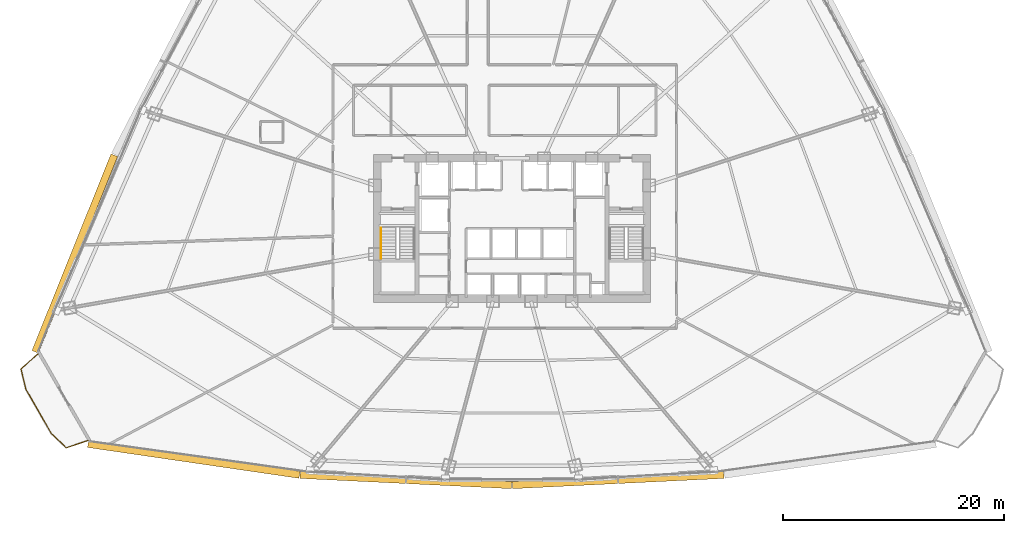
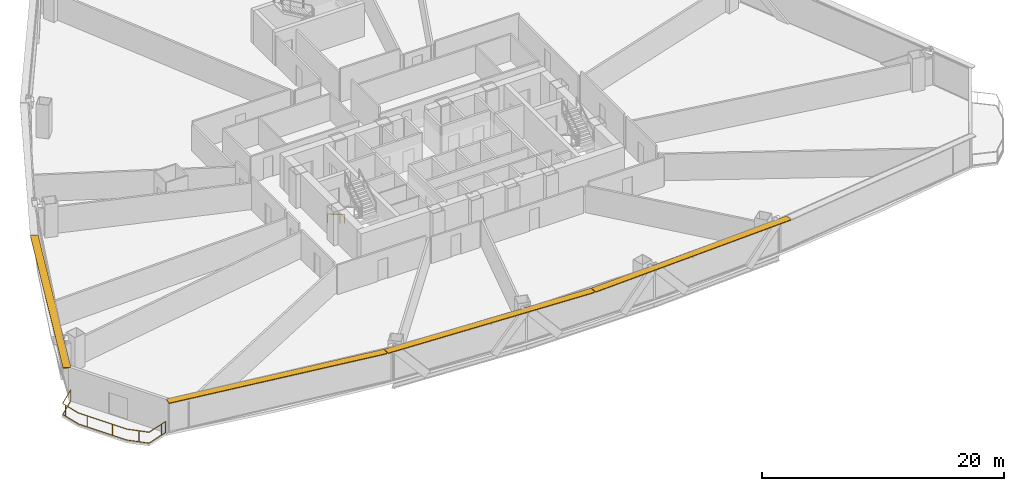
# One storey, part 34 of 37: 4 shading devices, 2 railings.
"""IFC4 building model written with IfcOpenShell, lengths in metres."""

from ifc_helpers import new_model, si_unit, direction, frame, origin, origin_2d, place, context, subcontext, project, spatial, rectangle, extrude, source, transform, mapped, material, layer, layer_set, type_object, element, save


model = new_model("IFC4")

# Units and contexts
model_context = context("Model", 3, precision=1e-05, world=origin(), true_north=direction((0.0, 1.0)))
body_context = subcontext(model_context, "Body", "Model", "MODEL_VIEW")
ifc_project = project(units=[si_unit("LENGTHUNIT", "METRE"), si_unit("AREAUNIT", "SQUARE_METRE"), si_unit("VOLUMEUNIT", "CUBIC_METRE"), si_unit("PLANEANGLEUNIT", "RADIAN"), si_unit("MASSUNIT", "GRAM", prefix="KILO"), si_unit("THERMODYNAMICTEMPERATUREUNIT", "KELVIN"), si_unit("POWERUNIT", "WATT")], contexts=[model_context])

# Site, building, storey
site_placement = place(None, origin())
site = spatial("IfcSite", under=ifc_project, at=site_placement, CompositionType="ELEMENT")
building_placement = place(site_placement, origin())
building = spatial("IfcBuilding", under=site, at=building_placement, Name="Yunzhuo Pagoda Commons", CompositionType="ELEMENT")
storey_placement = place(building_placement, frame((0.0, 0.0, 59.43994140625)))
storey = spatial("IfcBuildingStorey", under=building, at=storey_placement, Name="L15", CompositionType="ELEMENT", Elevation=59.43994140625)

# Railings
ifc_material = material(Name="Anodized aluminium 6063-T6", Category="aluminium")
railing_type_1 = type_object("IfcRailingType", Name="HR-ST1 Stair Handrail 900", PredefinedType="HANDRAIL", material=ifc_material)
railing_1_placement = place(storey_placement, frame((36.14990234375, 33.89990234375, 0.1650390625)))
element("IfcRailing", 1, at=railing_1_placement, inside=storey, type_object=railing_type_1, Name="L15 ST1 stair handrail 1", PredefinedType="HANDRAIL", context=body_context, shape_type="SweptSolid", body=[
    extrude(rectangle(XDim=0.048095703125, YDim=0.048095703125, at=origin_2d()), frame((0.0, 0.0, 0.8759765625), z_axis=(0.0, -0.861536114422, 0.507696290658), x_axis=(1.0, 0.0, 0.0)), (0.0, 0.0, 1.0), 3.249755859375),
    extrude(rectangle(XDim=0.0419921875, YDim=0.0419921875, at=origin_2d()), origin(), (0.0, 0.0, 1.0), 0.851806640625),
    extrude(rectangle(XDim=0.0419921875, YDim=0.0419921875, at=origin_2d()), frame((0.0, -2.067626953125, 1.218505859375)), (0.0, 0.0, 1.0), 0.851806640625),
    extrude(rectangle(XDim=0.0419921875, YDim=0.0419921875, at=origin_2d()), frame((0.0, -2.7998046875, 1.64990234375)), (0.0, 0.0, 1.0), 0.851806640625),
])
railing_type_2 = type_object("IfcRailingType", Name="RL-BAL1 Exterior Terrace & Balcony Balustrade 1150", PredefinedType="BALUSTRADE", material=ifc_material)
railing_2_placement = place(storey_placement, frame((5.08544921875, 22.47705078125, 0.0)))
element("IfcRailing", 2, at=railing_2_placement, inside=storey, type_object=railing_type_2, Name="L15 corner balcony balustrade V1", PredefinedType="BALUSTRADE", context=body_context, shape_type="SweptSolid", body=[
    extrude(rectangle(XDim=0.048095703125, YDim=0.048095703125, at=origin_2d()), frame((0.0, 0.0, 1.1259765625), z_axis=(-0.753933830692, -0.656950362614, 0.0), x_axis=(0.656950362614, -0.753933830692, 0.0)), (0.0, 0.0, 1.0), 2.05908203125),
    extrude(rectangle(XDim=0.048095703125, YDim=0.048095703125, at=origin_2d()), frame((0.0, 0.0, 0.02392578125), z_axis=(-0.753933830692, -0.656950362614, 0.0), x_axis=(0.656950362614, -0.753933830692, 0.0)), (0.0, 0.0, 1.0), 2.05908203125),
    extrude(rectangle(XDim=0.048095703125, YDim=0.048095703125, at=origin_2d()), frame((-1.552490234375, -1.352783203125, 1.1259765625), z_axis=(0.235684758319, -0.971829560518, 0.0), x_axis=(0.971829560518, 0.235684758319, 0.0)), (0.0, 0.0, 1.0), 1.896728515625),
    extrude(rectangle(XDim=0.048095703125, YDim=0.048095703125, at=origin_2d()), frame((-1.552490234375, -1.352783203125, 0.02392578125), z_axis=(0.235684758319, -0.971829560518, 0.0), x_axis=(0.971829560518, 0.235684758319, 0.0)), (0.0, 0.0, 1.0), 1.896728515625),
    extrude(rectangle(XDim=0.048095703125, YDim=0.048095703125, at=origin_2d()), frame((-1.10546875, -3.196044921875, 1.1259765625), z_axis=(0.497931801723, -0.867216190366, 0.0), x_axis=(0.867216190366, 0.497931801723, 0.0)), (0.0, 0.0, 1.0), 4.60205078125),
    extrude(rectangle(XDim=0.048095703125, YDim=0.048095703125, at=origin_2d()), frame((-1.10546875, -3.196044921875, 0.02392578125), z_axis=(0.497931801723, -0.867216190366, 0.0), x_axis=(0.867216190366, 0.497931801723, 0.0)), (0.0, 0.0, 1.0), 4.60205078125),
    extrude(rectangle(XDim=0.048095703125, YDim=0.048095703125, at=origin_2d()), frame((1.18603515625, -7.18701171875, 1.1259765625), z_axis=(0.720429774389, -0.693527894302, 0.0), x_axis=(0.693527894302, 0.720429774389, 0.0)), (0.0, 0.0, 1.0), 1.896728515625),
    extrude(rectangle(XDim=0.048095703125, YDim=0.048095703125, at=origin_2d()), frame((1.18603515625, -7.18701171875, 0.02392578125), z_axis=(0.720429774389, -0.693527894302, 0.0), x_axis=(0.693527894302, 0.720429774389, 0.0)), (0.0, 0.0, 1.0), 1.896728515625),
    extrude(rectangle(XDim=0.048095703125, YDim=0.048095703125, at=origin_2d()), frame((2.552490234375, -8.50244140625, 1.1259765625), z_axis=(0.947395259337, 0.320065965992, 0.0), x_axis=(-0.320065965992, 0.947395259337, 0.0)), (0.0, 0.0, 1.0), 2.0595703125),
    extrude(rectangle(XDim=0.048095703125, YDim=0.048095703125, at=origin_2d()), frame((2.552490234375, -8.50244140625, 0.02392578125), z_axis=(0.947395259337, 0.320065965992, 0.0), x_axis=(-0.320065965992, 0.947395259337, 0.0)), (0.0, 0.0, 1.0), 2.0595703125),
    extrude(rectangle(XDim=0.0419921875, YDim=0.0419921875, at=origin_2d()), origin(), (0.0, 0.0, 1.0), 1.101806640625),
    extrude(rectangle(XDim=0.0419921875, YDim=0.0419921875, at=origin_2d()), frame((-1.47216796875, -1.68408203125, 0.0)), (0.0, 0.0, 1.0), 1.101806640625),
    extrude(rectangle(XDim=0.0419921875, YDim=0.0419921875, at=origin_2d()), frame((-0.68505859375, -3.927978515625, 0.0)), (0.0, 0.0, 1.0), 1.101806640625),
    extrude(rectangle(XDim=0.0419921875, YDim=0.0419921875, at=origin_2d()), frame((0.509765625, -6.009521484375, 0.0)), (0.0, 0.0, 1.0), 1.101806640625),
    extrude(rectangle(XDim=0.0419921875, YDim=0.0419921875, at=origin_2d()), frame((1.936767578125, -7.90966796875, 0.0)), (0.0, 0.0, 1.0), 1.101806640625),
    extrude(rectangle(XDim=0.0419921875, YDim=0.0419921875, at=origin_2d()), frame((4.0166015625, -8.0078125, 0.0)), (0.0, 0.0, 1.0), 1.101806640625),
    extrude(rectangle(XDim=0.0419921875, YDim=0.0419921875, at=origin_2d()), frame((4.503662109375, -7.84326171875, 0.0)), (0.0, 0.0, 1.0), 1.101806640625),
])

# Shading devices
ifc_layer = layer(ifc_material, 0.080078125)
ifc_layer_set = layer_set([ifc_layer], Name="Anodized aluminium 6063-T6")
shading_device_type = type_object("IfcShadingDeviceType", Name="SH-SUN1 Pagoda Horizontal Sunshade Eave 650", PredefinedType="USERDEFINED", material=ifc_layer_set)
shared_shape_1 = source(origin(), body_context, "Body", "SweptSolid", [
    extrude(rectangle(XDim=19.34912109375, YDim=0.64990234375, at=origin_2d()), origin(), (0.0, 0.0, 1.0), 0.080078125),
])
shading_device_1_placement = place(storey_placement, frame((19.18701171875, 12.926513671875, 3.2900390625), z_axis=(0.0, 0.0, 1.0), x_axis=(0.989510666697, -0.144459823108, 0.0)))
element("IfcShadingDevice", 3, at=shading_device_1_placement, inside=storey, type_object=shading_device_type, Name="L15 horizontal pagoda sunshade eave F1.1", ObjectType="SUNSHADE", PredefinedType="USERDEFINED", context=body_context, shape_type="MappedRepresentation", body=[
    mapped(shared_shape_1, transform((0.0, 0.0, 0.0), scale=1.0)),
])
shared_shape_2 = source(origin(), body_context, "Body", "SweptSolid", [
    extrude(rectangle(XDim=19.168212890625, YDim=0.64990234375, at=origin_2d()), origin(), (0.0, 0.0, 1.0), 0.080078125),
])
for number, where, z_axis, x_axis, name in (
    (4, (38.3955078125, 11.056884765625, 3.2900390625), (0.0, 0.0, 1.0), (0.998818043775, -0.04860571396, 0.0), "L15 horizontal pagoda sunshade eave F1.2"),
    (5, (57.6044921875, 11.056884765625, 3.2900390625), (0.0, 0.0, 1.0), (0.998818043775, 0.04860571396, 0.0), "L15 horizontal pagoda sunshade eave F1.3"),
):
    element("IfcShadingDevice", number, at=place(storey_placement, frame(where, z_axis=z_axis, x_axis=x_axis)), inside=storey, type_object=shading_device_type, Name=name, ObjectType="SUNSHADE", PredefinedType="USERDEFINED", context=body_context, shape_type="MappedRepresentation", body=[
        mapped(shared_shape_2, transform((0.0, 0.0, 0.0), scale=1.0)),
    ])
shared_shape_3 = source(origin(), body_context, "Body", "SweptSolid", [
    extrude(rectangle(XDim=19.193603515625, YDim=0.64990234375, at=origin_2d()), origin(), (0.0, 0.0, 1.0), 0.080078125),
])
shading_device_2_placement = place(storey_placement, frame((8.409912109375, 31.55859375, 3.2900390625), z_axis=(0.0, 0.0, 1.0), x_axis=(-0.372987782576, -0.927836253899, 0.0)))
element("IfcShadingDevice", 6, at=shading_device_2_placement, inside=storey, type_object=shading_device_type, Name="L15 horizontal pagoda sunshade eave F3.4", ObjectType="SUNSHADE", PredefinedType="USERDEFINED", context=body_context, shape_type="MappedRepresentation", body=[
    mapped(shared_shape_3, transform((0.0, 0.0, 0.0), scale=1.0)),
])

save(model, "model.ifc")
